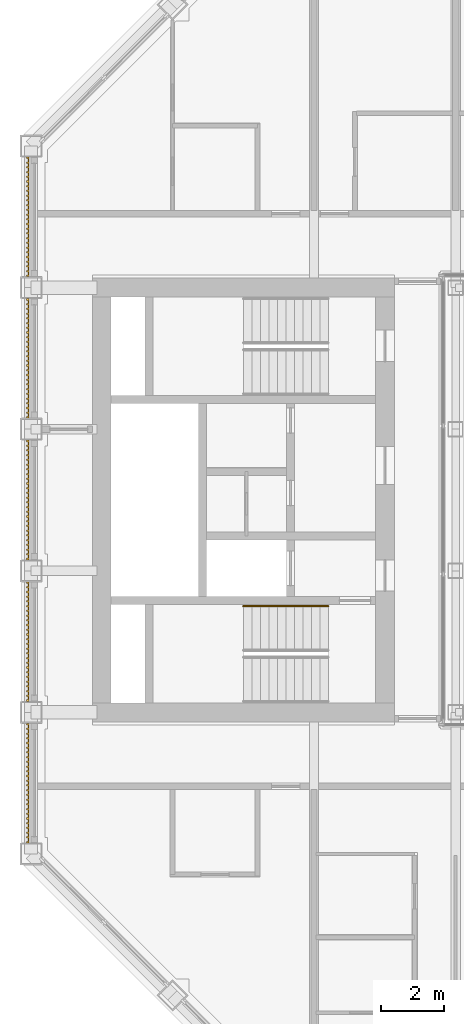
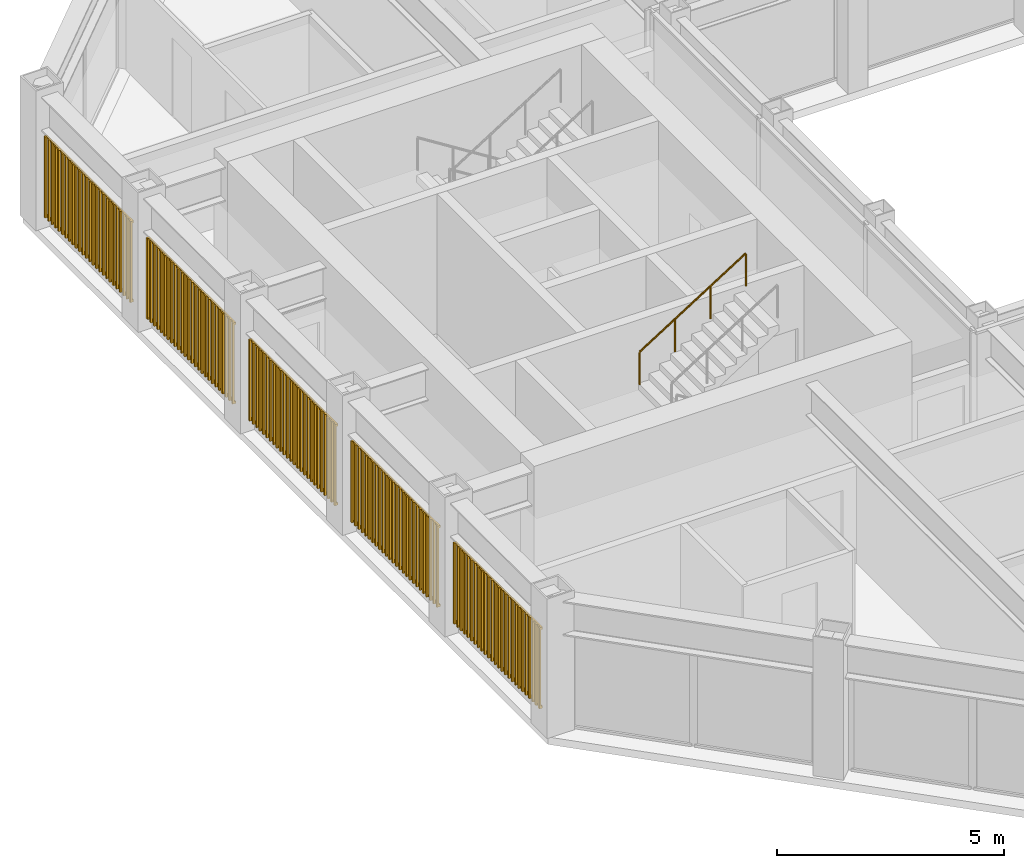
# One storey, part 15 of 18: 1 railing, 1 shading device.
"""IFC4 building model written with IfcOpenShell, lengths in metres."""

from ifc_helpers import new_model, si_unit, direction, frame, origin, origin_2d, place, context, subcontext, project, spatial, rectangle, circle, extrude, material, type_object, element, save


model = new_model("IFC4")

# Units and contexts
model_context = context("Model", 3, precision=1e-05, world=origin(), true_north=direction((0.0, 1.0)))
body_context = subcontext(model_context, "Body", "Model", "MODEL_VIEW")
ifc_project = project(units=[si_unit("LENGTHUNIT", "METRE"), si_unit("AREAUNIT", "SQUARE_METRE"), si_unit("VOLUMEUNIT", "CUBIC_METRE"), si_unit("PLANEANGLEUNIT", "RADIAN"), si_unit("MASSUNIT", "GRAM", prefix="KILO")], contexts=[model_context])

# Site, building, storey
site_placement = place(None, origin())
site = spatial("IfcSite", under=ifc_project, at=site_placement, CompositionType="ELEMENT")
building_placement = place(site_placement, origin())
building = spatial("IfcBuilding", under=site, at=building_placement, Name="Msasa Ring Tower", CompositionType="ELEMENT")
storey_placement = place(building_placement, frame((0.0, 0.0, 227.050048828125)))
storey = spatial("IfcBuildingStorey", under=building, at=storey_placement, Name="L59", CompositionType="ELEMENT", Elevation=227.050048828125)

# Shading device
ifc_material_1 = material(Name="Extruded terracotta on aluminium carriers", Category="masonry")
shading_device_type = type_object("IfcShadingDeviceType", Name="BS1 TERRACOTTA BAGUETTE SCREEN 50x50 AT 150", PredefinedType="USERDEFINED", material=ifc_material_1)
shading_device_placement = place(storey_placement, origin())
element("IfcShadingDevice", 1, at=shading_device_placement, inside=storey, type_object=shading_device_type, Name="Terracotta baguette screen W L59", ObjectType="BAGUETTE", PredefinedType="USERDEFINED", context=body_context, shape_type="SweptSolid", body=[
    extrude(rectangle(XDim=0.06005859375, YDim=0.0400390625, at=origin_2d()), frame((-20.330078125, -10.89990234375, 0.329833984375), z_axis=(0.0, 1.0, 0.0), x_axis=(0.0, 0.0, 1.0)), (0.0, 0.0, 1.0), 3.800048828125),
    extrude(rectangle(XDim=0.06005859375, YDim=0.0400390625, at=origin_2d()), frame((-20.330078125, -10.89990234375, 2.448974609375), z_axis=(0.0, 1.0, 0.0), x_axis=(0.0, 0.0, 1.0)), (0.0, 0.0, 1.0), 3.800048828125),
    extrude(rectangle(XDim=0.050048828125, YDim=0.050048828125, at=origin_2d()), frame((-20.3701171875, -10.875, 0.300048828125), z_axis=(0.0, 0.0, 1.0), x_axis=(0.0, 1.0, 0.0)), (0.0, 0.0, 1.0), 2.178955078125),
    extrude(rectangle(XDim=0.050048828125, YDim=0.050048828125, at=origin_2d()), frame((-20.3701171875, -10.72509765625, 0.300048828125), z_axis=(0.0, 0.0, 1.0), x_axis=(0.0, 1.0, 0.0)), (0.0, 0.0, 1.0), 2.178955078125),
    extrude(rectangle(XDim=0.050048828125, YDim=0.050048828125, at=origin_2d()), frame((-20.3701171875, -10.574951171875, 0.300048828125), z_axis=(0.0, 0.0, 1.0), x_axis=(0.0, 1.0, 0.0)), (0.0, 0.0, 1.0), 2.178955078125),
    extrude(rectangle(XDim=0.050048828125, YDim=0.050048828125, at=origin_2d()), frame((-20.3701171875, -10.425048828125, 0.300048828125), z_axis=(0.0, 0.0, 1.0), x_axis=(0.0, 1.0, 0.0)), (0.0, 0.0, 1.0), 2.178955078125),
    extrude(rectangle(XDim=0.050048828125, YDim=0.050048828125, at=origin_2d()), frame((-20.3701171875, -10.27490234375, 0.300048828125), z_axis=(0.0, 0.0, 1.0), x_axis=(0.0, 1.0, 0.0)), (0.0, 0.0, 1.0), 2.178955078125),
    extrude(rectangle(XDim=0.050048828125, YDim=0.050048828125, at=origin_2d()), frame((-20.3701171875, -10.125, 0.300048828125), z_axis=(0.0, 0.0, 1.0), x_axis=(0.0, 1.0, 0.0)), (0.0, 0.0, 1.0), 2.178955078125),
    extrude(rectangle(XDim=0.050048828125, YDim=0.050048828125, at=origin_2d()), frame((-20.3701171875, -9.97509765625, 0.300048828125), z_axis=(0.0, 0.0, 1.0), x_axis=(0.0, 1.0, 0.0)), (0.0, 0.0, 1.0), 2.178955078125),
    extrude(rectangle(XDim=0.050048828125, YDim=0.050048828125, at=origin_2d()), frame((-20.3701171875, -9.824951171875, 0.300048828125), z_axis=(0.0, 0.0, 1.0), x_axis=(0.0, 1.0, 0.0)), (0.0, 0.0, 1.0), 2.178955078125),
    extrude(rectangle(XDim=0.050048828125, YDim=0.050048828125, at=origin_2d()), frame((-20.3701171875, -9.675048828125, 0.300048828125), z_axis=(0.0, 0.0, 1.0), x_axis=(0.0, 1.0, 0.0)), (0.0, 0.0, 1.0), 2.178955078125),
    extrude(rectangle(XDim=0.050048828125, YDim=0.050048828125, at=origin_2d()), frame((-20.3701171875, -9.52490234375, 0.300048828125), z_axis=(0.0, 0.0, 1.0), x_axis=(0.0, 1.0, 0.0)), (0.0, 0.0, 1.0), 2.178955078125),
    extrude(rectangle(XDim=0.050048828125, YDim=0.050048828125, at=origin_2d()), frame((-20.3701171875, -9.375, 0.300048828125), z_axis=(0.0, 0.0, 1.0), x_axis=(0.0, 1.0, 0.0)), (0.0, 0.0, 1.0), 2.178955078125),
    extrude(rectangle(XDim=0.050048828125, YDim=0.050048828125, at=origin_2d()), frame((-20.3701171875, -9.22509765625, 0.300048828125), z_axis=(0.0, 0.0, 1.0), x_axis=(0.0, 1.0, 0.0)), (0.0, 0.0, 1.0), 2.178955078125),
    extrude(rectangle(XDim=0.050048828125, YDim=0.050048828125, at=origin_2d()), frame((-20.3701171875, -9.074951171875, 0.300048828125), z_axis=(0.0, 0.0, 1.0), x_axis=(0.0, 1.0, 0.0)), (0.0, 0.0, 1.0), 2.178955078125),
    extrude(rectangle(XDim=0.050048828125, YDim=0.050048828125, at=origin_2d()), frame((-20.3701171875, -8.925048828125, 0.300048828125), z_axis=(0.0, 0.0, 1.0), x_axis=(0.0, 1.0, 0.0)), (0.0, 0.0, 1.0), 2.178955078125),
    extrude(rectangle(XDim=0.050048828125, YDim=0.050048828125, at=origin_2d()), frame((-20.3701171875, -8.77490234375, 0.300048828125), z_axis=(0.0, 0.0, 1.0), x_axis=(0.0, 1.0, 0.0)), (0.0, 0.0, 1.0), 2.178955078125),
    extrude(rectangle(XDim=0.050048828125, YDim=0.050048828125, at=origin_2d()), frame((-20.3701171875, -8.625, 0.300048828125), z_axis=(0.0, 0.0, 1.0), x_axis=(0.0, 1.0, 0.0)), (0.0, 0.0, 1.0), 2.178955078125),
    extrude(rectangle(XDim=0.050048828125, YDim=0.050048828125, at=origin_2d()), frame((-20.3701171875, -8.47509765625, 0.300048828125), z_axis=(0.0, 0.0, 1.0), x_axis=(0.0, 1.0, 0.0)), (0.0, 0.0, 1.0), 2.178955078125),
    extrude(rectangle(XDim=0.050048828125, YDim=0.050048828125, at=origin_2d()), frame((-20.3701171875, -8.324951171875, 0.300048828125), z_axis=(0.0, 0.0, 1.0), x_axis=(0.0, 1.0, 0.0)), (0.0, 0.0, 1.0), 2.178955078125),
    extrude(rectangle(XDim=0.050048828125, YDim=0.050048828125, at=origin_2d()), frame((-20.3701171875, -8.175048828125, 0.300048828125), z_axis=(0.0, 0.0, 1.0), x_axis=(0.0, 1.0, 0.0)), (0.0, 0.0, 1.0), 2.178955078125),
    extrude(rectangle(XDim=0.050048828125, YDim=0.050048828125, at=origin_2d()), frame((-20.3701171875, -8.02490234375, 0.300048828125), z_axis=(0.0, 0.0, 1.0), x_axis=(0.0, 1.0, 0.0)), (0.0, 0.0, 1.0), 2.178955078125),
    extrude(rectangle(XDim=0.050048828125, YDim=0.050048828125, at=origin_2d()), frame((-20.3701171875, -7.875, 0.300048828125), z_axis=(0.0, 0.0, 1.0), x_axis=(0.0, 1.0, 0.0)), (0.0, 0.0, 1.0), 2.178955078125),
    extrude(rectangle(XDim=0.050048828125, YDim=0.050048828125, at=origin_2d()), frame((-20.3701171875, -7.72509765625, 0.300048828125), z_axis=(0.0, 0.0, 1.0), x_axis=(0.0, 1.0, 0.0)), (0.0, 0.0, 1.0), 2.178955078125),
    extrude(rectangle(XDim=0.050048828125, YDim=0.050048828125, at=origin_2d()), frame((-20.3701171875, -7.574951171875, 0.300048828125), z_axis=(0.0, 0.0, 1.0), x_axis=(0.0, 1.0, 0.0)), (0.0, 0.0, 1.0), 2.178955078125),
    extrude(rectangle(XDim=0.050048828125, YDim=0.050048828125, at=origin_2d()), frame((-20.3701171875, -7.425048828125, 0.300048828125), z_axis=(0.0, 0.0, 1.0), x_axis=(0.0, 1.0, 0.0)), (0.0, 0.0, 1.0), 2.178955078125),
    extrude(rectangle(XDim=0.050048828125, YDim=0.050048828125, at=origin_2d()), frame((-20.3701171875, -7.27490234375, 0.300048828125), z_axis=(0.0, 0.0, 1.0), x_axis=(0.0, 1.0, 0.0)), (0.0, 0.0, 1.0), 2.178955078125),
    extrude(rectangle(XDim=0.050048828125, YDim=0.050048828125, at=origin_2d()), frame((-20.3701171875, -7.125, 0.300048828125), z_axis=(0.0, 0.0, 1.0), x_axis=(0.0, 1.0, 0.0)), (0.0, 0.0, 1.0), 2.178955078125),
    extrude(rectangle(XDim=0.06005859375, YDim=0.0400390625, at=origin_2d()), frame((-20.330078125, -6.39990234375, 0.329833984375), z_axis=(0.0, 1.0, 0.0), x_axis=(0.0, 0.0, 1.0)), (0.0, 0.0, 1.0), 3.800048828125),
    extrude(rectangle(XDim=0.06005859375, YDim=0.0400390625, at=origin_2d()), frame((-20.330078125, -6.39990234375, 2.448974609375), z_axis=(0.0, 1.0, 0.0), x_axis=(0.0, 0.0, 1.0)), (0.0, 0.0, 1.0), 3.800048828125),
    extrude(rectangle(XDim=0.050048828125, YDim=0.050048828125, at=origin_2d()), frame((-20.3701171875, -6.375, 0.300048828125), z_axis=(0.0, 0.0, 1.0), x_axis=(0.0, 1.0, 0.0)), (0.0, 0.0, 1.0), 2.178955078125),
    extrude(rectangle(XDim=0.050048828125, YDim=0.050048828125, at=origin_2d()), frame((-20.3701171875, -6.22509765625, 0.300048828125), z_axis=(0.0, 0.0, 1.0), x_axis=(0.0, 1.0, 0.0)), (0.0, 0.0, 1.0), 2.178955078125),
    extrude(rectangle(XDim=0.050048828125, YDim=0.050048828125, at=origin_2d()), frame((-20.3701171875, -6.074951171875, 0.300048828125), z_axis=(0.0, 0.0, 1.0), x_axis=(0.0, 1.0, 0.0)), (0.0, 0.0, 1.0), 2.178955078125),
    extrude(rectangle(XDim=0.050048828125, YDim=0.050048828125, at=origin_2d()), frame((-20.3701171875, -5.925048828125, 0.300048828125), z_axis=(0.0, 0.0, 1.0), x_axis=(0.0, 1.0, 0.0)), (0.0, 0.0, 1.0), 2.178955078125),
    extrude(rectangle(XDim=0.050048828125, YDim=0.050048828125, at=origin_2d()), frame((-20.3701171875, -5.77490234375, 0.300048828125), z_axis=(0.0, 0.0, 1.0), x_axis=(0.0, 1.0, 0.0)), (0.0, 0.0, 1.0), 2.178955078125),
    extrude(rectangle(XDim=0.050048828125, YDim=0.050048828125, at=origin_2d()), frame((-20.3701171875, -5.625, 0.300048828125), z_axis=(0.0, 0.0, 1.0), x_axis=(0.0, 1.0, 0.0)), (0.0, 0.0, 1.0), 2.178955078125),
    extrude(rectangle(XDim=0.050048828125, YDim=0.050048828125, at=origin_2d()), frame((-20.3701171875, -5.47509765625, 0.300048828125), z_axis=(0.0, 0.0, 1.0), x_axis=(0.0, 1.0, 0.0)), (0.0, 0.0, 1.0), 2.178955078125),
    extrude(rectangle(XDim=0.050048828125, YDim=0.050048828125, at=origin_2d()), frame((-20.3701171875, -5.324951171875, 0.300048828125), z_axis=(0.0, 0.0, 1.0), x_axis=(0.0, 1.0, 0.0)), (0.0, 0.0, 1.0), 2.178955078125),
    extrude(rectangle(XDim=0.050048828125, YDim=0.050048828125, at=origin_2d()), frame((-20.3701171875, -5.175048828125, 0.300048828125), z_axis=(0.0, 0.0, 1.0), x_axis=(0.0, 1.0, 0.0)), (0.0, 0.0, 1.0), 2.178955078125),
    extrude(rectangle(XDim=0.050048828125, YDim=0.050048828125, at=origin_2d()), frame((-20.3701171875, -5.02490234375, 0.300048828125), z_axis=(0.0, 0.0, 1.0), x_axis=(0.0, 1.0, 0.0)), (0.0, 0.0, 1.0), 2.178955078125),
    extrude(rectangle(XDim=0.050048828125, YDim=0.050048828125, at=origin_2d()), frame((-20.3701171875, -4.875, 0.300048828125), z_axis=(0.0, 0.0, 1.0), x_axis=(0.0, 1.0, 0.0)), (0.0, 0.0, 1.0), 2.178955078125),
    extrude(rectangle(XDim=0.050048828125, YDim=0.050048828125, at=origin_2d()), frame((-20.3701171875, -4.72509765625, 0.300048828125), z_axis=(0.0, 0.0, 1.0), x_axis=(0.0, 1.0, 0.0)), (0.0, 0.0, 1.0), 2.178955078125),
    extrude(rectangle(XDim=0.050048828125, YDim=0.050048828125, at=origin_2d()), frame((-20.3701171875, -4.574951171875, 0.300048828125), z_axis=(0.0, 0.0, 1.0), x_axis=(0.0, 1.0, 0.0)), (0.0, 0.0, 1.0), 2.178955078125),
    extrude(rectangle(XDim=0.050048828125, YDim=0.050048828125, at=origin_2d()), frame((-20.3701171875, -4.425048828125, 0.300048828125), z_axis=(0.0, 0.0, 1.0), x_axis=(0.0, 1.0, 0.0)), (0.0, 0.0, 1.0), 2.178955078125),
    extrude(rectangle(XDim=0.050048828125, YDim=0.050048828125, at=origin_2d()), frame((-20.3701171875, -4.27490234375, 0.300048828125), z_axis=(0.0, 0.0, 1.0), x_axis=(0.0, 1.0, 0.0)), (0.0, 0.0, 1.0), 2.178955078125),
    extrude(rectangle(XDim=0.050048828125, YDim=0.050048828125, at=origin_2d()), frame((-20.3701171875, -4.125, 0.300048828125), z_axis=(0.0, 0.0, 1.0), x_axis=(0.0, 1.0, 0.0)), (0.0, 0.0, 1.0), 2.178955078125),
    extrude(rectangle(XDim=0.050048828125, YDim=0.050048828125, at=origin_2d()), frame((-20.3701171875, -3.97509765625, 0.300048828125), z_axis=(0.0, 0.0, 1.0), x_axis=(0.0, 1.0, 0.0)), (0.0, 0.0, 1.0), 2.178955078125),
    extrude(rectangle(XDim=0.050048828125, YDim=0.050048828125, at=origin_2d()), frame((-20.3701171875, -3.824951171875, 0.300048828125), z_axis=(0.0, 0.0, 1.0), x_axis=(0.0, 1.0, 0.0)), (0.0, 0.0, 1.0), 2.178955078125),
    extrude(rectangle(XDim=0.050048828125, YDim=0.050048828125, at=origin_2d()), frame((-20.3701171875, -3.675048828125, 0.300048828125), z_axis=(0.0, 0.0, 1.0), x_axis=(0.0, 1.0, 0.0)), (0.0, 0.0, 1.0), 2.178955078125),
    extrude(rectangle(XDim=0.050048828125, YDim=0.050048828125, at=origin_2d()), frame((-20.3701171875, -3.52490234375, 0.300048828125), z_axis=(0.0, 0.0, 1.0), x_axis=(0.0, 1.0, 0.0)), (0.0, 0.0, 1.0), 2.178955078125),
    extrude(rectangle(XDim=0.050048828125, YDim=0.050048828125, at=origin_2d()), frame((-20.3701171875, -3.375, 0.300048828125), z_axis=(0.0, 0.0, 1.0), x_axis=(0.0, 1.0, 0.0)), (0.0, 0.0, 1.0), 2.178955078125),
    extrude(rectangle(XDim=0.050048828125, YDim=0.050048828125, at=origin_2d()), frame((-20.3701171875, -3.22509765625, 0.300048828125), z_axis=(0.0, 0.0, 1.0), x_axis=(0.0, 1.0, 0.0)), (0.0, 0.0, 1.0), 2.178955078125),
    extrude(rectangle(XDim=0.050048828125, YDim=0.050048828125, at=origin_2d()), frame((-20.3701171875, -3.074951171875, 0.300048828125), z_axis=(0.0, 0.0, 1.0), x_axis=(0.0, 1.0, 0.0)), (0.0, 0.0, 1.0), 2.178955078125),
    extrude(rectangle(XDim=0.050048828125, YDim=0.050048828125, at=origin_2d()), frame((-20.3701171875, -2.925048828125, 0.300048828125), z_axis=(0.0, 0.0, 1.0), x_axis=(0.0, 1.0, 0.0)), (0.0, 0.0, 1.0), 2.178955078125),
    extrude(rectangle(XDim=0.050048828125, YDim=0.050048828125, at=origin_2d()), frame((-20.3701171875, -2.77490234375, 0.300048828125), z_axis=(0.0, 0.0, 1.0), x_axis=(0.0, 1.0, 0.0)), (0.0, 0.0, 1.0), 2.178955078125),
    extrude(rectangle(XDim=0.050048828125, YDim=0.050048828125, at=origin_2d()), frame((-20.3701171875, -2.625, 0.300048828125), z_axis=(0.0, 0.0, 1.0), x_axis=(0.0, 1.0, 0.0)), (0.0, 0.0, 1.0), 2.178955078125),
    extrude(rectangle(XDim=0.06005859375, YDim=0.0400390625, at=origin_2d()), frame((-20.330078125, -1.89990234375, 0.329833984375), z_axis=(0.0, 1.0, 0.0), x_axis=(0.0, 0.0, 1.0)), (0.0, 0.0, 1.0), 3.800048828125),
    extrude(rectangle(XDim=0.06005859375, YDim=0.0400390625, at=origin_2d()), frame((-20.330078125, -1.89990234375, 2.448974609375), z_axis=(0.0, 1.0, 0.0), x_axis=(0.0, 0.0, 1.0)), (0.0, 0.0, 1.0), 3.800048828125),
    extrude(rectangle(XDim=0.050048828125, YDim=0.050048828125, at=origin_2d()), frame((-20.3701171875, -1.875, 0.300048828125), z_axis=(0.0, 0.0, 1.0), x_axis=(0.0, 1.0, 0.0)), (0.0, 0.0, 1.0), 2.178955078125),
    extrude(rectangle(XDim=0.050048828125, YDim=0.050048828125, at=origin_2d()), frame((-20.3701171875, -1.72509765625, 0.300048828125), z_axis=(0.0, 0.0, 1.0), x_axis=(0.0, 1.0, 0.0)), (0.0, 0.0, 1.0), 2.178955078125),
    extrude(rectangle(XDim=0.050048828125, YDim=0.050048828125, at=origin_2d()), frame((-20.3701171875, -1.574951171875, 0.300048828125), z_axis=(0.0, 0.0, 1.0), x_axis=(0.0, 1.0, 0.0)), (0.0, 0.0, 1.0), 2.178955078125),
    extrude(rectangle(XDim=0.050048828125, YDim=0.050048828125, at=origin_2d()), frame((-20.3701171875, -1.425048828125, 0.300048828125), z_axis=(0.0, 0.0, 1.0), x_axis=(0.0, 1.0, 0.0)), (0.0, 0.0, 1.0), 2.178955078125),
    extrude(rectangle(XDim=0.050048828125, YDim=0.050048828125, at=origin_2d()), frame((-20.3701171875, -1.27490234375, 0.300048828125), z_axis=(0.0, 0.0, 1.0), x_axis=(0.0, 1.0, 0.0)), (0.0, 0.0, 1.0), 2.178955078125),
    extrude(rectangle(XDim=0.050048828125, YDim=0.050048828125, at=origin_2d()), frame((-20.3701171875, -1.125, 0.300048828125), z_axis=(0.0, 0.0, 1.0), x_axis=(0.0, 1.0, 0.0)), (0.0, 0.0, 1.0), 2.178955078125),
    extrude(rectangle(XDim=0.050048828125, YDim=0.050048828125, at=origin_2d()), frame((-20.3701171875, -0.97509765625, 0.300048828125), z_axis=(0.0, 0.0, 1.0), x_axis=(0.0, 1.0, 0.0)), (0.0, 0.0, 1.0), 2.178955078125),
    extrude(rectangle(XDim=0.050048828125, YDim=0.050048828125, at=origin_2d()), frame((-20.3701171875, -0.824951171875, 0.300048828125), z_axis=(0.0, 0.0, 1.0), x_axis=(0.0, 1.0, 0.0)), (0.0, 0.0, 1.0), 2.178955078125),
    extrude(rectangle(XDim=0.050048828125, YDim=0.050048828125, at=origin_2d()), frame((-20.3701171875, -0.675048828125, 0.300048828125), z_axis=(0.0, 0.0, 1.0), x_axis=(0.0, 1.0, 0.0)), (0.0, 0.0, 1.0), 2.178955078125),
    extrude(rectangle(XDim=0.050048828125, YDim=0.050048828125, at=origin_2d()), frame((-20.3701171875, -0.52490234375, 0.300048828125), z_axis=(0.0, 0.0, 1.0), x_axis=(0.0, 1.0, 0.0)), (0.0, 0.0, 1.0), 2.178955078125),
    extrude(rectangle(XDim=0.050048828125, YDim=0.050048828125, at=origin_2d()), frame((-20.3701171875, -0.375, 0.300048828125), z_axis=(0.0, 0.0, 1.0), x_axis=(0.0, 1.0, 0.0)), (0.0, 0.0, 1.0), 2.178955078125),
    extrude(rectangle(XDim=0.050048828125, YDim=0.050048828125, at=origin_2d()), frame((-20.3701171875, -0.22509765625, 0.300048828125), z_axis=(0.0, 0.0, 1.0), x_axis=(0.0, 1.0, 0.0)), (0.0, 0.0, 1.0), 2.178955078125),
    extrude(rectangle(XDim=0.050048828125, YDim=0.050048828125, at=origin_2d()), frame((-20.3701171875, -0.074951171875, 0.300048828125), z_axis=(0.0, 0.0, 1.0), x_axis=(0.0, 1.0, 0.0)), (0.0, 0.0, 1.0), 2.178955078125),
    extrude(rectangle(XDim=0.050048828125, YDim=0.050048828125, at=origin_2d()), frame((-20.3701171875, 0.074951171875, 0.300048828125), z_axis=(0.0, 0.0, 1.0), x_axis=(0.0, 1.0, 0.0)), (0.0, 0.0, 1.0), 2.178955078125),
    extrude(rectangle(XDim=0.050048828125, YDim=0.050048828125, at=origin_2d()), frame((-20.3701171875, 0.22509765625, 0.300048828125), z_axis=(0.0, 0.0, 1.0), x_axis=(0.0, 1.0, 0.0)), (0.0, 0.0, 1.0), 2.178955078125),
    extrude(rectangle(XDim=0.050048828125, YDim=0.050048828125, at=origin_2d()), frame((-20.3701171875, 0.375, 0.300048828125), z_axis=(0.0, 0.0, 1.0), x_axis=(0.0, 1.0, 0.0)), (0.0, 0.0, 1.0), 2.178955078125),
    extrude(rectangle(XDim=0.050048828125, YDim=0.050048828125, at=origin_2d()), frame((-20.3701171875, 0.52490234375, 0.300048828125), z_axis=(0.0, 0.0, 1.0), x_axis=(0.0, 1.0, 0.0)), (0.0, 0.0, 1.0), 2.178955078125),
    extrude(rectangle(XDim=0.050048828125, YDim=0.050048828125, at=origin_2d()), frame((-20.3701171875, 0.675048828125, 0.300048828125), z_axis=(0.0, 0.0, 1.0), x_axis=(0.0, 1.0, 0.0)), (0.0, 0.0, 1.0), 2.178955078125),
    extrude(rectangle(XDim=0.050048828125, YDim=0.050048828125, at=origin_2d()), frame((-20.3701171875, 0.824951171875, 0.300048828125), z_axis=(0.0, 0.0, 1.0), x_axis=(0.0, 1.0, 0.0)), (0.0, 0.0, 1.0), 2.178955078125),
    extrude(rectangle(XDim=0.050048828125, YDim=0.050048828125, at=origin_2d()), frame((-20.3701171875, 0.97509765625, 0.300048828125), z_axis=(0.0, 0.0, 1.0), x_axis=(0.0, 1.0, 0.0)), (0.0, 0.0, 1.0), 2.178955078125),
    extrude(rectangle(XDim=0.050048828125, YDim=0.050048828125, at=origin_2d()), frame((-20.3701171875, 1.125, 0.300048828125), z_axis=(0.0, 0.0, 1.0), x_axis=(0.0, 1.0, 0.0)), (0.0, 0.0, 1.0), 2.178955078125),
    extrude(rectangle(XDim=0.050048828125, YDim=0.050048828125, at=origin_2d()), frame((-20.3701171875, 1.27490234375, 0.300048828125), z_axis=(0.0, 0.0, 1.0), x_axis=(0.0, 1.0, 0.0)), (0.0, 0.0, 1.0), 2.178955078125),
    extrude(rectangle(XDim=0.050048828125, YDim=0.050048828125, at=origin_2d()), frame((-20.3701171875, 1.425048828125, 0.300048828125), z_axis=(0.0, 0.0, 1.0), x_axis=(0.0, 1.0, 0.0)), (0.0, 0.0, 1.0), 2.178955078125),
    extrude(rectangle(XDim=0.050048828125, YDim=0.050048828125, at=origin_2d()), frame((-20.3701171875, 1.574951171875, 0.300048828125), z_axis=(0.0, 0.0, 1.0), x_axis=(0.0, 1.0, 0.0)), (0.0, 0.0, 1.0), 2.178955078125),
    extrude(rectangle(XDim=0.050048828125, YDim=0.050048828125, at=origin_2d()), frame((-20.3701171875, 1.72509765625, 0.300048828125), z_axis=(0.0, 0.0, 1.0), x_axis=(0.0, 1.0, 0.0)), (0.0, 0.0, 1.0), 2.178955078125),
    extrude(rectangle(XDim=0.050048828125, YDim=0.050048828125, at=origin_2d()), frame((-20.3701171875, 1.875, 0.300048828125), z_axis=(0.0, 0.0, 1.0), x_axis=(0.0, 1.0, 0.0)), (0.0, 0.0, 1.0), 2.178955078125),
    extrude(rectangle(XDim=0.06005859375, YDim=0.0400390625, at=origin_2d()), frame((-20.330078125, 2.60009765625, 0.329833984375), z_axis=(0.0, 1.0, 0.0), x_axis=(0.0, 0.0, 1.0)), (0.0, 0.0, 1.0), 3.800048828125),
    extrude(rectangle(XDim=0.06005859375, YDim=0.0400390625, at=origin_2d()), frame((-20.330078125, 2.60009765625, 2.448974609375), z_axis=(0.0, 1.0, 0.0), x_axis=(0.0, 0.0, 1.0)), (0.0, 0.0, 1.0), 3.800048828125),
    extrude(rectangle(XDim=0.050048828125, YDim=0.050048828125, at=origin_2d()), frame((-20.3701171875, 2.625, 0.300048828125), z_axis=(0.0, 0.0, 1.0), x_axis=(0.0, 1.0, 0.0)), (0.0, 0.0, 1.0), 2.178955078125),
    extrude(rectangle(XDim=0.050048828125, YDim=0.050048828125, at=origin_2d()), frame((-20.3701171875, 2.77490234375, 0.300048828125), z_axis=(0.0, 0.0, 1.0), x_axis=(0.0, 1.0, 0.0)), (0.0, 0.0, 1.0), 2.178955078125),
    extrude(rectangle(XDim=0.050048828125, YDim=0.050048828125, at=origin_2d()), frame((-20.3701171875, 2.925048828125, 0.300048828125), z_axis=(0.0, 0.0, 1.0), x_axis=(0.0, 1.0, 0.0)), (0.0, 0.0, 1.0), 2.178955078125),
    extrude(rectangle(XDim=0.050048828125, YDim=0.050048828125, at=origin_2d()), frame((-20.3701171875, 3.074951171875, 0.300048828125), z_axis=(0.0, 0.0, 1.0), x_axis=(0.0, 1.0, 0.0)), (0.0, 0.0, 1.0), 2.178955078125),
    extrude(rectangle(XDim=0.050048828125, YDim=0.050048828125, at=origin_2d()), frame((-20.3701171875, 3.22509765625, 0.300048828125), z_axis=(0.0, 0.0, 1.0), x_axis=(0.0, 1.0, 0.0)), (0.0, 0.0, 1.0), 2.178955078125),
    extrude(rectangle(XDim=0.050048828125, YDim=0.050048828125, at=origin_2d()), frame((-20.3701171875, 3.375, 0.300048828125), z_axis=(0.0, 0.0, 1.0), x_axis=(0.0, 1.0, 0.0)), (0.0, 0.0, 1.0), 2.178955078125),
    extrude(rectangle(XDim=0.050048828125, YDim=0.050048828125, at=origin_2d()), frame((-20.3701171875, 3.52490234375, 0.300048828125), z_axis=(0.0, 0.0, 1.0), x_axis=(0.0, 1.0, 0.0)), (0.0, 0.0, 1.0), 2.178955078125),
    extrude(rectangle(XDim=0.050048828125, YDim=0.050048828125, at=origin_2d()), frame((-20.3701171875, 3.675048828125, 0.300048828125), z_axis=(0.0, 0.0, 1.0), x_axis=(0.0, 1.0, 0.0)), (0.0, 0.0, 1.0), 2.178955078125),
    extrude(rectangle(XDim=0.050048828125, YDim=0.050048828125, at=origin_2d()), frame((-20.3701171875, 3.824951171875, 0.300048828125), z_axis=(0.0, 0.0, 1.0), x_axis=(0.0, 1.0, 0.0)), (0.0, 0.0, 1.0), 2.178955078125),
    extrude(rectangle(XDim=0.050048828125, YDim=0.050048828125, at=origin_2d()), frame((-20.3701171875, 3.97509765625, 0.300048828125), z_axis=(0.0, 0.0, 1.0), x_axis=(0.0, 1.0, 0.0)), (0.0, 0.0, 1.0), 2.178955078125),
    extrude(rectangle(XDim=0.050048828125, YDim=0.050048828125, at=origin_2d()), frame((-20.3701171875, 4.125, 0.300048828125), z_axis=(0.0, 0.0, 1.0), x_axis=(0.0, 1.0, 0.0)), (0.0, 0.0, 1.0), 2.178955078125),
    extrude(rectangle(XDim=0.050048828125, YDim=0.050048828125, at=origin_2d()), frame((-20.3701171875, 4.27490234375, 0.300048828125), z_axis=(0.0, 0.0, 1.0), x_axis=(0.0, 1.0, 0.0)), (0.0, 0.0, 1.0), 2.178955078125),
    extrude(rectangle(XDim=0.050048828125, YDim=0.050048828125, at=origin_2d()), frame((-20.3701171875, 4.425048828125, 0.300048828125), z_axis=(0.0, 0.0, 1.0), x_axis=(0.0, 1.0, 0.0)), (0.0, 0.0, 1.0), 2.178955078125),
    extrude(rectangle(XDim=0.050048828125, YDim=0.050048828125, at=origin_2d()), frame((-20.3701171875, 4.574951171875, 0.300048828125), z_axis=(0.0, 0.0, 1.0), x_axis=(0.0, 1.0, 0.0)), (0.0, 0.0, 1.0), 2.178955078125),
    extrude(rectangle(XDim=0.050048828125, YDim=0.050048828125, at=origin_2d()), frame((-20.3701171875, 4.72509765625, 0.300048828125), z_axis=(0.0, 0.0, 1.0), x_axis=(0.0, 1.0, 0.0)), (0.0, 0.0, 1.0), 2.178955078125),
    extrude(rectangle(XDim=0.050048828125, YDim=0.050048828125, at=origin_2d()), frame((-20.3701171875, 4.875, 0.300048828125), z_axis=(0.0, 0.0, 1.0), x_axis=(0.0, 1.0, 0.0)), (0.0, 0.0, 1.0), 2.178955078125),
    extrude(rectangle(XDim=0.050048828125, YDim=0.050048828125, at=origin_2d()), frame((-20.3701171875, 5.02490234375, 0.300048828125), z_axis=(0.0, 0.0, 1.0), x_axis=(0.0, 1.0, 0.0)), (0.0, 0.0, 1.0), 2.178955078125),
    extrude(rectangle(XDim=0.050048828125, YDim=0.050048828125, at=origin_2d()), frame((-20.3701171875, 5.175048828125, 0.300048828125), z_axis=(0.0, 0.0, 1.0), x_axis=(0.0, 1.0, 0.0)), (0.0, 0.0, 1.0), 2.178955078125),
    extrude(rectangle(XDim=0.050048828125, YDim=0.050048828125, at=origin_2d()), frame((-20.3701171875, 5.324951171875, 0.300048828125), z_axis=(0.0, 0.0, 1.0), x_axis=(0.0, 1.0, 0.0)), (0.0, 0.0, 1.0), 2.178955078125),
    extrude(rectangle(XDim=0.050048828125, YDim=0.050048828125, at=origin_2d()), frame((-20.3701171875, 5.47509765625, 0.300048828125), z_axis=(0.0, 0.0, 1.0), x_axis=(0.0, 1.0, 0.0)), (0.0, 0.0, 1.0), 2.178955078125),
    extrude(rectangle(XDim=0.050048828125, YDim=0.050048828125, at=origin_2d()), frame((-20.3701171875, 5.625, 0.300048828125), z_axis=(0.0, 0.0, 1.0), x_axis=(0.0, 1.0, 0.0)), (0.0, 0.0, 1.0), 2.178955078125),
    extrude(rectangle(XDim=0.050048828125, YDim=0.050048828125, at=origin_2d()), frame((-20.3701171875, 5.77490234375, 0.300048828125), z_axis=(0.0, 0.0, 1.0), x_axis=(0.0, 1.0, 0.0)), (0.0, 0.0, 1.0), 2.178955078125),
    extrude(rectangle(XDim=0.050048828125, YDim=0.050048828125, at=origin_2d()), frame((-20.3701171875, 5.925048828125, 0.300048828125), z_axis=(0.0, 0.0, 1.0), x_axis=(0.0, 1.0, 0.0)), (0.0, 0.0, 1.0), 2.178955078125),
    extrude(rectangle(XDim=0.050048828125, YDim=0.050048828125, at=origin_2d()), frame((-20.3701171875, 6.074951171875, 0.300048828125), z_axis=(0.0, 0.0, 1.0), x_axis=(0.0, 1.0, 0.0)), (0.0, 0.0, 1.0), 2.178955078125),
    extrude(rectangle(XDim=0.050048828125, YDim=0.050048828125, at=origin_2d()), frame((-20.3701171875, 6.22509765625, 0.300048828125), z_axis=(0.0, 0.0, 1.0), x_axis=(0.0, 1.0, 0.0)), (0.0, 0.0, 1.0), 2.178955078125),
    extrude(rectangle(XDim=0.050048828125, YDim=0.050048828125, at=origin_2d()), frame((-20.3701171875, 6.375, 0.300048828125), z_axis=(0.0, 0.0, 1.0), x_axis=(0.0, 1.0, 0.0)), (0.0, 0.0, 1.0), 2.178955078125),
    extrude(rectangle(XDim=0.06005859375, YDim=0.0400390625, at=origin_2d()), frame((-20.330078125, 7.10009765625, 0.329833984375), z_axis=(0.0, 1.0, 0.0), x_axis=(0.0, 0.0, 1.0)), (0.0, 0.0, 1.0), 3.800048828125),
    extrude(rectangle(XDim=0.06005859375, YDim=0.0400390625, at=origin_2d()), frame((-20.330078125, 7.10009765625, 2.448974609375), z_axis=(0.0, 1.0, 0.0), x_axis=(0.0, 0.0, 1.0)), (0.0, 0.0, 1.0), 3.800048828125),
    extrude(rectangle(XDim=0.050048828125, YDim=0.050048828125, at=origin_2d()), frame((-20.3701171875, 7.125, 0.300048828125), z_axis=(0.0, 0.0, 1.0), x_axis=(0.0, 1.0, 0.0)), (0.0, 0.0, 1.0), 2.178955078125),
    extrude(rectangle(XDim=0.050048828125, YDim=0.050048828125, at=origin_2d()), frame((-20.3701171875, 7.27490234375, 0.300048828125), z_axis=(0.0, 0.0, 1.0), x_axis=(0.0, 1.0, 0.0)), (0.0, 0.0, 1.0), 2.178955078125),
    extrude(rectangle(XDim=0.050048828125, YDim=0.050048828125, at=origin_2d()), frame((-20.3701171875, 7.425048828125, 0.300048828125), z_axis=(0.0, 0.0, 1.0), x_axis=(0.0, 1.0, 0.0)), (0.0, 0.0, 1.0), 2.178955078125),
    extrude(rectangle(XDim=0.050048828125, YDim=0.050048828125, at=origin_2d()), frame((-20.3701171875, 7.574951171875, 0.300048828125), z_axis=(0.0, 0.0, 1.0), x_axis=(0.0, 1.0, 0.0)), (0.0, 0.0, 1.0), 2.178955078125),
    extrude(rectangle(XDim=0.050048828125, YDim=0.050048828125, at=origin_2d()), frame((-20.3701171875, 7.72509765625, 0.300048828125), z_axis=(0.0, 0.0, 1.0), x_axis=(0.0, 1.0, 0.0)), (0.0, 0.0, 1.0), 2.178955078125),
    extrude(rectangle(XDim=0.050048828125, YDim=0.050048828125, at=origin_2d()), frame((-20.3701171875, 7.875, 0.300048828125), z_axis=(0.0, 0.0, 1.0), x_axis=(0.0, 1.0, 0.0)), (0.0, 0.0, 1.0), 2.178955078125),
    extrude(rectangle(XDim=0.050048828125, YDim=0.050048828125, at=origin_2d()), frame((-20.3701171875, 8.02490234375, 0.300048828125), z_axis=(0.0, 0.0, 1.0), x_axis=(0.0, 1.0, 0.0)), (0.0, 0.0, 1.0), 2.178955078125),
    extrude(rectangle(XDim=0.050048828125, YDim=0.050048828125, at=origin_2d()), frame((-20.3701171875, 8.175048828125, 0.300048828125), z_axis=(0.0, 0.0, 1.0), x_axis=(0.0, 1.0, 0.0)), (0.0, 0.0, 1.0), 2.178955078125),
    extrude(rectangle(XDim=0.050048828125, YDim=0.050048828125, at=origin_2d()), frame((-20.3701171875, 8.324951171875, 0.300048828125), z_axis=(0.0, 0.0, 1.0), x_axis=(0.0, 1.0, 0.0)), (0.0, 0.0, 1.0), 2.178955078125),
    extrude(rectangle(XDim=0.050048828125, YDim=0.050048828125, at=origin_2d()), frame((-20.3701171875, 8.47509765625, 0.300048828125), z_axis=(0.0, 0.0, 1.0), x_axis=(0.0, 1.0, 0.0)), (0.0, 0.0, 1.0), 2.178955078125),
    extrude(rectangle(XDim=0.050048828125, YDim=0.050048828125, at=origin_2d()), frame((-20.3701171875, 8.625, 0.300048828125), z_axis=(0.0, 0.0, 1.0), x_axis=(0.0, 1.0, 0.0)), (0.0, 0.0, 1.0), 2.178955078125),
    extrude(rectangle(XDim=0.050048828125, YDim=0.050048828125, at=origin_2d()), frame((-20.3701171875, 8.77490234375, 0.300048828125), z_axis=(0.0, 0.0, 1.0), x_axis=(0.0, 1.0, 0.0)), (0.0, 0.0, 1.0), 2.178955078125),
    extrude(rectangle(XDim=0.050048828125, YDim=0.050048828125, at=origin_2d()), frame((-20.3701171875, 8.925048828125, 0.300048828125), z_axis=(0.0, 0.0, 1.0), x_axis=(0.0, 1.0, 0.0)), (0.0, 0.0, 1.0), 2.178955078125),
    extrude(rectangle(XDim=0.050048828125, YDim=0.050048828125, at=origin_2d()), frame((-20.3701171875, 9.074951171875, 0.300048828125), z_axis=(0.0, 0.0, 1.0), x_axis=(0.0, 1.0, 0.0)), (0.0, 0.0, 1.0), 2.178955078125),
    extrude(rectangle(XDim=0.050048828125, YDim=0.050048828125, at=origin_2d()), frame((-20.3701171875, 9.22509765625, 0.300048828125), z_axis=(0.0, 0.0, 1.0), x_axis=(0.0, 1.0, 0.0)), (0.0, 0.0, 1.0), 2.178955078125),
    extrude(rectangle(XDim=0.050048828125, YDim=0.050048828125, at=origin_2d()), frame((-20.3701171875, 9.375, 0.300048828125), z_axis=(0.0, 0.0, 1.0), x_axis=(0.0, 1.0, 0.0)), (0.0, 0.0, 1.0), 2.178955078125),
    extrude(rectangle(XDim=0.050048828125, YDim=0.050048828125, at=origin_2d()), frame((-20.3701171875, 9.52490234375, 0.300048828125), z_axis=(0.0, 0.0, 1.0), x_axis=(0.0, 1.0, 0.0)), (0.0, 0.0, 1.0), 2.178955078125),
    extrude(rectangle(XDim=0.050048828125, YDim=0.050048828125, at=origin_2d()), frame((-20.3701171875, 9.675048828125, 0.300048828125), z_axis=(0.0, 0.0, 1.0), x_axis=(0.0, 1.0, 0.0)), (0.0, 0.0, 1.0), 2.178955078125),
    extrude(rectangle(XDim=0.050048828125, YDim=0.050048828125, at=origin_2d()), frame((-20.3701171875, 9.824951171875, 0.300048828125), z_axis=(0.0, 0.0, 1.0), x_axis=(0.0, 1.0, 0.0)), (0.0, 0.0, 1.0), 2.178955078125),
    extrude(rectangle(XDim=0.050048828125, YDim=0.050048828125, at=origin_2d()), frame((-20.3701171875, 9.97509765625, 0.300048828125), z_axis=(0.0, 0.0, 1.0), x_axis=(0.0, 1.0, 0.0)), (0.0, 0.0, 1.0), 2.178955078125),
    extrude(rectangle(XDim=0.050048828125, YDim=0.050048828125, at=origin_2d()), frame((-20.3701171875, 10.125, 0.300048828125), z_axis=(0.0, 0.0, 1.0), x_axis=(0.0, 1.0, 0.0)), (0.0, 0.0, 1.0), 2.178955078125),
    extrude(rectangle(XDim=0.050048828125, YDim=0.050048828125, at=origin_2d()), frame((-20.3701171875, 10.27490234375, 0.300048828125), z_axis=(0.0, 0.0, 1.0), x_axis=(0.0, 1.0, 0.0)), (0.0, 0.0, 1.0), 2.178955078125),
    extrude(rectangle(XDim=0.050048828125, YDim=0.050048828125, at=origin_2d()), frame((-20.3701171875, 10.425048828125, 0.300048828125), z_axis=(0.0, 0.0, 1.0), x_axis=(0.0, 1.0, 0.0)), (0.0, 0.0, 1.0), 2.178955078125),
    extrude(rectangle(XDim=0.050048828125, YDim=0.050048828125, at=origin_2d()), frame((-20.3701171875, 10.574951171875, 0.300048828125), z_axis=(0.0, 0.0, 1.0), x_axis=(0.0, 1.0, 0.0)), (0.0, 0.0, 1.0), 2.178955078125),
    extrude(rectangle(XDim=0.050048828125, YDim=0.050048828125, at=origin_2d()), frame((-20.3701171875, 10.72509765625, 0.300048828125), z_axis=(0.0, 0.0, 1.0), x_axis=(0.0, 1.0, 0.0)), (0.0, 0.0, 1.0), 2.178955078125),
    extrude(rectangle(XDim=0.050048828125, YDim=0.050048828125, at=origin_2d()), frame((-20.3701171875, 10.875, 0.300048828125), z_axis=(0.0, 0.0, 1.0), x_axis=(0.0, 1.0, 0.0)), (0.0, 0.0, 1.0), 2.178955078125),
])

# Railing
ifc_material_2 = material(Name="Stainless steel", Category="steel")
railing_type = type_object("IfcRailingType", Name="HR1 HANDRAIL 900", PredefinedType="HANDRAIL", material=ifc_material_2)
railing_placement = place(storey_placement, frame((-13.5, -3.375, 2.04541015625)))
element("IfcRailing", 2, at=railing_placement, inside=storey, type_object=railing_type, Name="Handrail stair SWA L59 4", PredefinedType="HANDRAIL", context=body_context, shape_type="SweptSolid", body=[
    extrude(circle(Radius=0.02392578125, at=origin_2d()), frame((0.0, 0.0, 0.8759765625), z_axis=(0.845579735284, 0.0, 0.533849146555), x_axis=(0.0, 1.0, 0.0)), (0.0, 0.0, 1.0), 3.193115234375),
    extrude(circle(Radius=0.02099609375, at=origin_2d()), origin(), (0.0, 0.0, 1.0), 0.851806640625),
    extrude(circle(Radius=0.02099609375, at=origin_2d()), frame((0.89990234375, 0.0, 0.568115234375)), (0.0, 0.0, 1.0), 0.851806640625),
    extrude(circle(Radius=0.02099609375, at=origin_2d()), frame((1.800048828125, 0.0, 1.136474609375)), (0.0, 0.0, 1.0), 0.851806640625),
    extrude(circle(Radius=0.02099609375, at=origin_2d()), frame((2.699951171875, 0.0, 1.70458984375)), (0.0, 0.0, 1.0), 0.851806640625),
])

save(model, "model.ifc")
